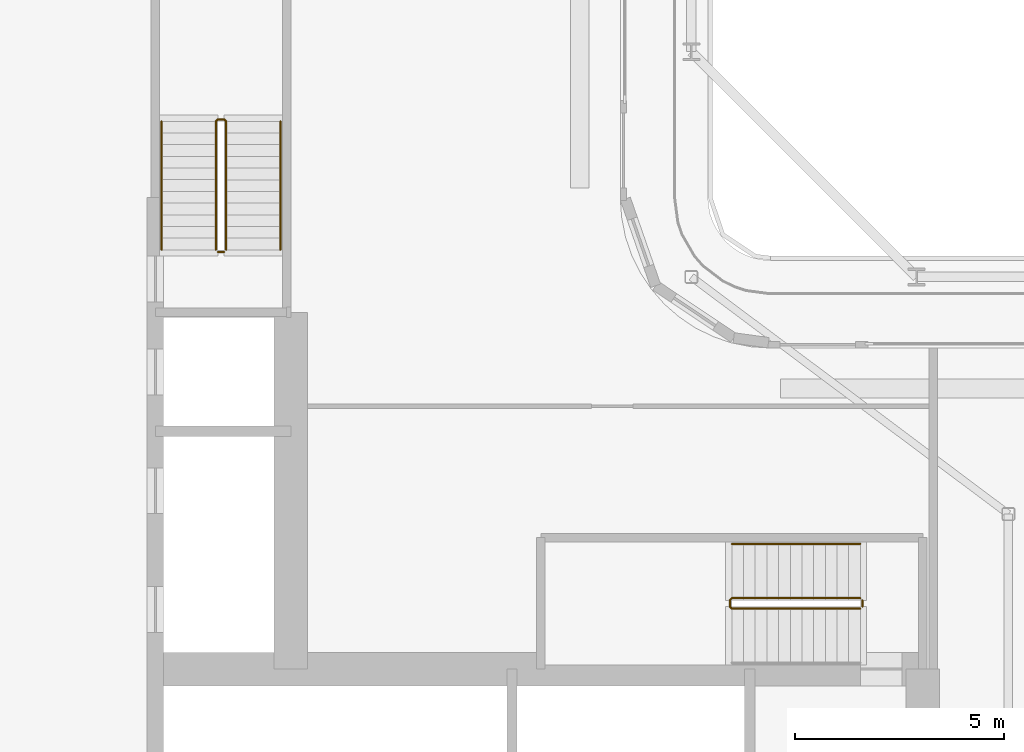
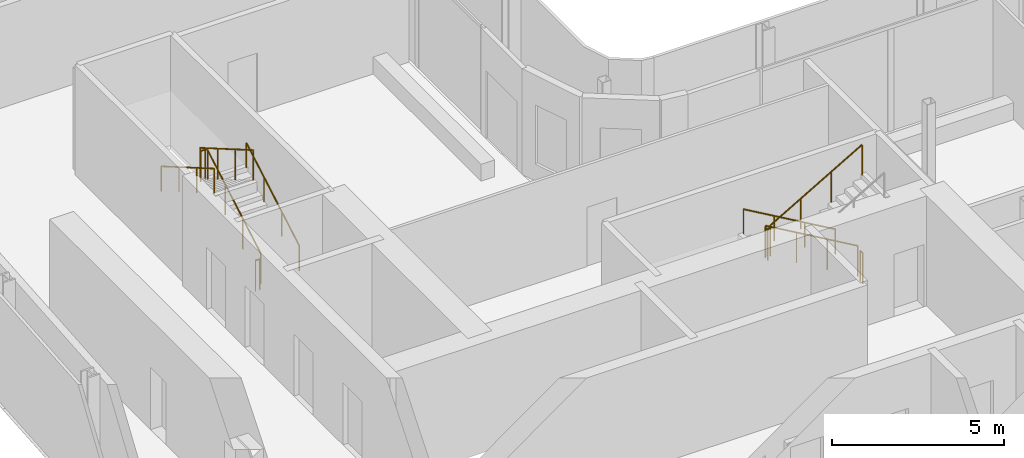
# One storey, part 24 of 29: 7 railings.
"""IFC4 building model written with IfcOpenShell, lengths in metres."""

from ifc_helpers import new_model, si_unit, direction, frame, origin, origin_2d, place, context, subcontext, project, spatial, circle, extrude, material, type_object, element, save


model = new_model("IFC4")

# Units and contexts
model_context = context("Model", 3, precision=1e-05, world=origin(), true_north=direction((0.0, 1.0)))
body_context = subcontext(model_context, "Body", "Model", "MODEL_VIEW")
ifc_project = project(units=[si_unit("LENGTHUNIT", "METRE"), si_unit("AREAUNIT", "SQUARE_METRE"), si_unit("VOLUMEUNIT", "CUBIC_METRE"), si_unit("PLANEANGLEUNIT", "RADIAN"), si_unit("MASSUNIT", "GRAM", prefix="KILO")], contexts=[model_context])

# Site, building, storey
site_placement = place(None, origin())
site = spatial("IfcSite", under=ifc_project, at=site_placement, CompositionType="ELEMENT")
building_placement = place(site_placement, origin())
building = spatial("IfcBuilding", under=site, at=building_placement, Name="Kheshtan School and Residences Tower", CompositionType="ELEMENT")
storey_placement = place(building_placement, frame((0.0, 0.0, 172.10009765625)))
storey = spatial("IfcBuildingStorey", under=building, at=storey_placement, Name="L40", CompositionType="ELEMENT", Elevation=172.10009765625)

# Railings
ifc_material_1 = material(Name="Stainless steel balustrade", Category="steel")
railing_type_1 = type_object("IfcRailingType", Name="Stair guard 1100", PredefinedType="GUARDRAIL", material=ifc_material_1)
railing_1_placement = place(storey_placement, frame((51.64990234375, 37.89990234375, 0.162353515625)))
element("IfcRailing", 1, at=railing_1_placement, inside=storey, type_object=railing_type_1, Name="L40 ST1 stair guard 1", PredefinedType="GUARDRAIL", context=body_context, shape_type="SweptSolid", body=[
    extrude(circle(Radius=0.02392578125, at=origin_2d()), frame((0.0, 0.0, 1.076171875), z_axis=(-0.864873446163, 0.0, 0.501989962173), x_axis=(0.0, -1.0, 0.0)), (0.0, 0.0, 1.0), 3.56103515625),
    extrude(circle(Radius=0.02392578125, at=origin_2d()), frame((-3.079833984375, 0.0, 2.86376953125), z_axis=(-0.708833529934, -0.705375805398, 0.0), x_axis=(0.705375805398, -0.708833529934, 0.0)), (0.0, 0.0, 1.0), 0.070556640625),
    extrude(circle(Radius=0.02392578125, at=origin_2d()), frame((-3.1298828125, -0.0498046875, 2.86376953125), z_axis=(0.0, -1.0, 0.0), x_axis=(1.0, 0.0, 0.0)), (0.0, 0.0, 1.0), 0.150146484375),
    extrude(circle(Radius=0.02392578125, at=origin_2d()), frame((-3.1298828125, -0.199951171875, 2.86376953125), z_axis=(0.282583949758, -0.282583949758, 0.916674763849), x_axis=(0.707106781187, 0.707106781187, 0.0)), (0.0, 0.0, 1.0), 0.177001953125),
    extrude(circle(Radius=0.02392578125, at=origin_2d()), frame((-3.079833984375, -0.25, 3.02587890625), z_axis=(0.864873446163, 0.0, 0.501989962173), x_axis=(0.0, 1.0, 0.0)), (0.0, 0.0, 1.0), 3.56103515625),
    extrude(circle(Radius=0.02099609375, at=origin_2d()), origin(), (0.0, 0.0, 1.0), 1.052001953125),
    extrude(circle(Radius=0.02099609375, at=origin_2d()), frame((-1.026611328125, 0.0, 0.595947265625)), (0.0, 0.0, 1.0), 1.052001953125),
    extrude(circle(Radius=0.02099609375, at=origin_2d()), frame((-2.05322265625, 0.0, 1.191650390625)), (0.0, 0.0, 1.0), 1.052001953125),
    extrude(circle(Radius=0.02099609375, at=origin_2d()), frame((-3.079833984375, 0.0, 1.78759765625)), (0.0, 0.0, 1.0), 1.052001953125),
    extrude(circle(Radius=0.02099609375, at=origin_2d()), frame((-3.1298828125, -0.0498046875, 1.78759765625)), (0.0, 0.0, 1.0), 1.052001953125),
    extrude(circle(Radius=0.02099609375, at=origin_2d()), frame((-3.1298828125, -0.199951171875, 1.78759765625)), (0.0, 0.0, 1.0), 1.052001953125),
    extrude(circle(Radius=0.02099609375, at=origin_2d()), frame((-3.079833984375, -0.25, 1.949951171875)), (0.0, 0.0, 1.0), 1.052001953125),
    extrude(circle(Radius=0.02099609375, at=origin_2d()), frame((-2.05322265625, -0.25, 2.5458984375)), (0.0, 0.0, 1.0), 1.052001953125),
    extrude(circle(Radius=0.02099609375, at=origin_2d()), frame((-1.026611328125, -0.25, 3.1416015625)), (0.0, 0.0, 1.0), 1.052001953125),
    extrude(circle(Radius=0.02099609375, at=origin_2d()), frame((0.0, -0.25, 3.737548828125)), (0.0, 0.0, 1.0), 1.052001953125),
])
railing_2_placement = place(storey_placement, frame((51.699951171875, 37.85009765625, 0.0)))
element("IfcRailing", 2, at=railing_2_placement, inside=storey, type_object=railing_type_1, Name="L40 ST1 stair guard 2", PredefinedType="GUARDRAIL", context=body_context, shape_type="SweptSolid", body=[
    extrude(circle(Radius=0.02392578125, at=origin_2d()), frame((0.0, 0.0, 1.076171875), z_axis=(0.0, -1.0, 0.0), x_axis=(1.0, 0.0, 0.0)), (0.0, 0.0, 1.0), 0.150146484375),
    extrude(circle(Radius=0.02099609375, at=origin_2d()), origin(), (0.0, 0.0, 1.0), 1.052001953125),
    extrude(circle(Radius=0.02099609375, at=origin_2d()), frame((0.0, -0.150146484375, 0.0)), (0.0, 0.0, 1.0), 1.052001953125),
])
railing_3_placement = place(storey_placement, frame((36.449951171875, 46.25, 0.162353515625)))
element("IfcRailing", 3, at=railing_3_placement, inside=storey, type_object=railing_type_1, Name="L40 ST2 stair guard 1", PredefinedType="GUARDRAIL", context=body_context, shape_type="SweptSolid", body=[
    extrude(circle(Radius=0.02392578125, at=origin_2d()), frame((0.0, 0.0, 1.076171875), z_axis=(0.0, 0.864890721111, 0.501960198159), x_axis=(-1.0, 0.0, 0.0)), (0.0, 0.0, 1.0), 3.561279296875),
    extrude(circle(Radius=0.02392578125, at=origin_2d()), frame((0.0, 3.080078125, 2.86376953125), z_axis=(-0.708833529934, 0.705375805398, 0.0), x_axis=(-0.705375805398, -0.708833529934, 0.0)), (0.0, 0.0, 1.0), 0.070556640625),
    extrude(circle(Radius=0.02392578125, at=origin_2d()), frame((-0.050048828125, 3.1298828125, 2.86376953125), z_axis=(-1.0, 0.0, 0.0), x_axis=(0.0, -1.0, 0.0)), (0.0, 0.0, 1.0), 0.14990234375),
    extrude(circle(Radius=0.02392578125, at=origin_2d()), frame((-0.199951171875, 3.1298828125, 2.86376953125), z_axis=(-0.282693820306, -0.281314826061, 0.917031173188), x_axis=(0.705375805398, -0.708833529934, 0.0)), (0.0, 0.0, 1.0), 0.177001953125),
    extrude(circle(Radius=0.02392578125, at=origin_2d()), frame((-0.25, 3.080078125, 3.02587890625), z_axis=(0.0, -0.864890721111, 0.501960198159), x_axis=(1.0, 0.0, 0.0)), (0.0, 0.0, 1.0), 3.561279296875),
    extrude(circle(Radius=0.02099609375, at=origin_2d()), origin(), (0.0, 0.0, 1.0), 1.052001953125),
    extrude(circle(Radius=0.02099609375, at=origin_2d()), frame((0.0, 1.026611328125, 0.595947265625)), (0.0, 0.0, 1.0), 1.052001953125),
    extrude(circle(Radius=0.02099609375, at=origin_2d()), frame((0.0, 2.053466796875, 1.191650390625)), (0.0, 0.0, 1.0), 1.052001953125),
    extrude(circle(Radius=0.02099609375, at=origin_2d()), frame((0.0, 3.080078125, 1.78759765625)), (0.0, 0.0, 1.0), 1.052001953125),
    extrude(circle(Radius=0.02099609375, at=origin_2d()), frame((-0.050048828125, 3.1298828125, 1.78759765625)), (0.0, 0.0, 1.0), 1.052001953125),
    extrude(circle(Radius=0.02099609375, at=origin_2d()), frame((-0.199951171875, 3.1298828125, 1.78759765625)), (0.0, 0.0, 1.0), 1.052001953125),
    extrude(circle(Radius=0.02099609375, at=origin_2d()), frame((-0.25, 3.080078125, 1.949951171875)), (0.0, 0.0, 1.0), 1.052001953125),
    extrude(circle(Radius=0.02099609375, at=origin_2d()), frame((-0.25, 2.053466796875, 2.5458984375)), (0.0, 0.0, 1.0), 1.052001953125),
    extrude(circle(Radius=0.02099609375, at=origin_2d()), frame((-0.25, 1.026611328125, 3.1416015625)), (0.0, 0.0, 1.0), 1.052001953125),
    extrude(circle(Radius=0.02099609375, at=origin_2d()), frame((-0.25, 0.0, 3.737548828125)), (0.0, 0.0, 1.0), 1.052001953125),
])
railing_4_placement = place(storey_placement, frame((36.39990234375, 46.199951171875, 0.0)))
element("IfcRailing", 4, at=railing_4_placement, inside=storey, type_object=railing_type_1, Name="L40 ST2 stair guard 2", PredefinedType="GUARDRAIL", context=body_context, shape_type="SweptSolid", body=[
    extrude(circle(Radius=0.02392578125, at=origin_2d()), frame((0.0, 0.0, 1.076171875), z_axis=(-1.0, 0.0, 0.0), x_axis=(0.0, -1.0, 0.0)), (0.0, 0.0, 1.0), 0.14990234375),
    extrude(circle(Radius=0.02099609375, at=origin_2d()), origin(), (0.0, 0.0, 1.0), 1.052001953125),
    extrude(circle(Radius=0.02099609375, at=origin_2d()), frame((-0.14990234375, 0.0, 0.0)), (0.0, 0.0, 1.0), 1.052001953125),
])
ifc_material_2 = material(Name="Stainless steel handrail", Category="steel")
railing_type_2 = type_object("IfcRailingType", Name="Stair handrail 900", PredefinedType="HANDRAIL", material=ifc_material_2)
railing_5_placement = place(storey_placement, frame((51.64990234375, 39.199951171875, 0.162353515625)))
element("IfcRailing", 5, at=railing_5_placement, inside=storey, type_object=railing_type_2, Name="L40 ST1 stair handrail 1", PredefinedType="HANDRAIL", context=body_context, shape_type="SweptSolid", body=[
    extrude(circle(Radius=0.02392578125, at=origin_2d()), frame((0.0, 0.0, 0.8759765625), z_axis=(-0.864873446163, 0.0, 0.501989962173), x_axis=(0.0, -1.0, 0.0)), (0.0, 0.0, 1.0), 3.56103515625),
    extrude(circle(Radius=0.02099609375, at=origin_2d()), origin(), (0.0, 0.0, 1.0), 0.851806640625),
    extrude(circle(Radius=0.02099609375, at=origin_2d()), frame((-1.026611328125, 0.0, 0.595947265625)), (0.0, 0.0, 1.0), 0.851806640625),
    extrude(circle(Radius=0.02099609375, at=origin_2d()), frame((-2.05322265625, 0.0, 1.191650390625)), (0.0, 0.0, 1.0), 0.851806640625),
    extrude(circle(Radius=0.02099609375, at=origin_2d()), frame((-3.079833984375, 0.0, 1.78759765625)), (0.0, 0.0, 1.0), 0.851806640625),
])
railing_6_placement = place(storey_placement, frame((37.75, 46.25, 0.162353515625)))
element("IfcRailing", 6, at=railing_6_placement, inside=storey, type_object=railing_type_2, Name="L40 ST2 stair handrail 1", PredefinedType="HANDRAIL", context=body_context, shape_type="SweptSolid", body=[
    extrude(circle(Radius=0.02392578125, at=origin_2d()), frame((0.0, 0.0, 0.8759765625), z_axis=(0.0, 0.864890721111, 0.501960198159), x_axis=(-1.0, 0.0, 0.0)), (0.0, 0.0, 1.0), 3.561279296875),
    extrude(circle(Radius=0.02099609375, at=origin_2d()), origin(), (0.0, 0.0, 1.0), 0.851806640625),
    extrude(circle(Radius=0.02099609375, at=origin_2d()), frame((0.0, 1.026611328125, 0.595947265625)), (0.0, 0.0, 1.0), 0.851806640625),
    extrude(circle(Radius=0.02099609375, at=origin_2d()), frame((0.0, 2.053466796875, 1.191650390625)), (0.0, 0.0, 1.0), 0.851806640625),
    extrude(circle(Radius=0.02099609375, at=origin_2d()), frame((0.0, 3.080078125, 1.78759765625)), (0.0, 0.0, 1.0), 0.851806640625),
])
railing_7_placement = place(storey_placement, frame((34.89990234375, 49.330078125, 2.1123046875)))
element("IfcRailing", 7, at=railing_7_placement, inside=storey, type_object=railing_type_2, Name="L40 ST2 stair handrail 2", PredefinedType="HANDRAIL", context=body_context, shape_type="SweptSolid", body=[
    extrude(circle(Radius=0.02392578125, at=origin_2d()), frame((0.0, 0.0, 0.8759765625), z_axis=(0.0, -0.864890721111, 0.501960198159), x_axis=(1.0, 0.0, 0.0)), (0.0, 0.0, 1.0), 3.561279296875),
    extrude(circle(Radius=0.02099609375, at=origin_2d()), origin(), (0.0, 0.0, 1.0), 0.851806640625),
    extrude(circle(Radius=0.02099609375, at=origin_2d()), frame((0.0, -1.026611328125, 0.595947265625)), (0.0, 0.0, 1.0), 0.851806640625),
    extrude(circle(Radius=0.02099609375, at=origin_2d()), frame((0.0, -2.053466796875, 1.191650390625)), (0.0, 0.0, 1.0), 0.851806640625),
    extrude(circle(Radius=0.02099609375, at=origin_2d()), frame((0.0, -3.080078125, 1.78759765625)), (0.0, 0.0, 1.0), 0.851806640625),
])

save(model, "model.ifc")
